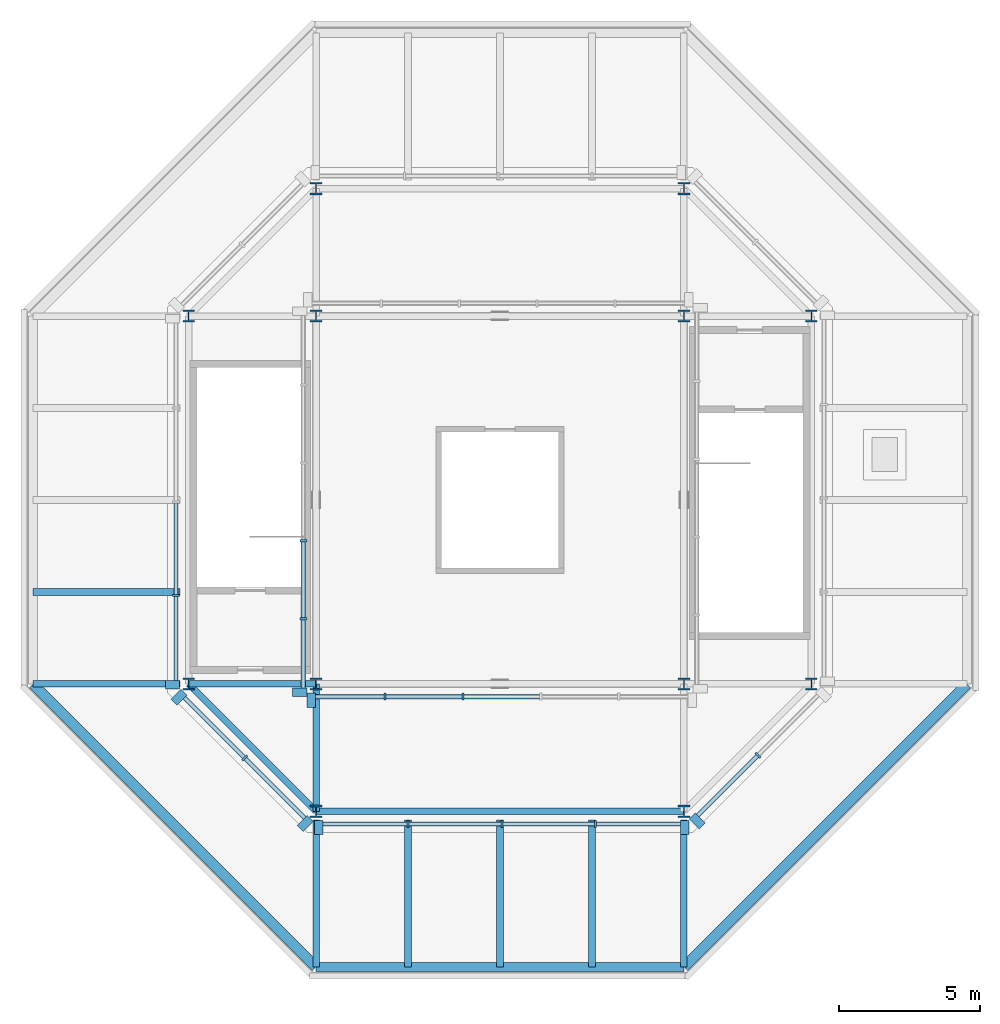
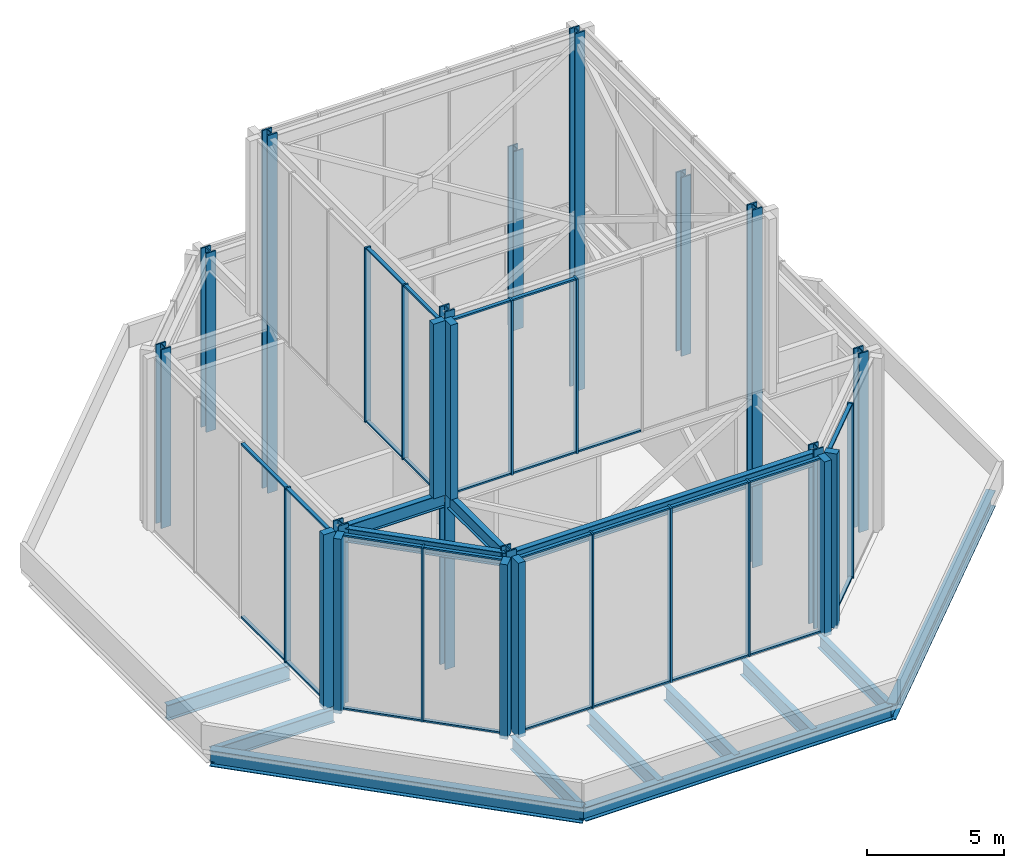
# One storey, part 1 of 6: 45 members, 14 beams, 12 columns, 6 elements without a shape of their own.
"""IFC4 building model written with IfcOpenShell, lengths in metres."""

from ifc_helpers import new_model, si_unit, direction, frame, origin, origin_2d, place, context, subcontext, project, spatial, rectangle, i_section, extrude, material, material_profile, profile_set, type_object, element, aggregate, save


model = new_model("IFC4")

# Units and contexts
model_context = context("Model", 3, precision=1e-05, world=origin(), true_north=direction((0.0, 1.0)))
body_context = subcontext(model_context, "Body", "Model", "MODEL_VIEW")
ifc_project = project(units=[si_unit("LENGTHUNIT", "METRE"), si_unit("AREAUNIT", "SQUARE_METRE"), si_unit("VOLUMEUNIT", "CUBIC_METRE"), si_unit("PLANEANGLEUNIT", "RADIAN"), si_unit("MASSUNIT", "GRAM", prefix="KILO")], contexts=[model_context])

# Site, building, storey
site_placement = place(None, origin())
site = spatial("IfcSite", under=ifc_project, at=site_placement, CompositionType="ELEMENT")
building_placement = place(site_placement, origin())
building = spatial("IfcBuilding", under=site, at=building_placement, Name="Trevanion Tower", CompositionType="ELEMENT")
storey_placement = place(building_placement, frame((0.0, 0.0, 310.199951171875)))
storey = spatial("IfcBuildingStorey", under=building, at=storey_placement, Name="ROOF", CompositionType="ELEMENT", Elevation=310.199951171875)

# Columns
ifc_material_1 = material(Name="Steel ASTM A913 Grade 65", Category="steel")
ifc_material_profile_1 = material_profile(ifc_material_1, i_section(OverallWidth=0.411376953125, OverallDepth=0.434326171875, WebThickness=0.035888671875, FlangeThickness=0.057373046875, at=origin_2d()), Name="W14X311")
ifc_profile_set_1 = profile_set([ifc_material_profile_1], Name="Steel ASTM A913 Grade 65")
column_type = type_object("IfcColumnType", Name="CC1 W14X311", PredefinedType="COLUMN", material=ifc_profile_set_1)
for number, where, z_axis, x_axis, name in (
    (1, (11.0, -6.5, 0.0), (0.0, 0.0, 1.0), (1.0, 0.0, 0.0), "CC1 crown T1 1"),
    (2, (11.0, 6.5, 0.0), (0.0, 0.0, 1.0), (1.0, 0.0, 0.0), "CC1 crown T1 2"),
    (3, (6.5, 11.0, 0.0), (0.0, 0.0, 1.0), (1.0, 0.0, 0.0), "CC1 crown T1 3"),
    (4, (-6.5, 11.0, 0.0), (0.0, 0.0, 1.0), (1.0, 0.0, 0.0), "CC1 crown T1 4"),
    (5, (-11.0, 6.5, 0.0), (0.0, 0.0, 1.0), (1.0, 0.0, 0.0), "CC1 crown T1 5"),
    (6, (-11.0, -6.5, 0.0), (0.0, 0.0, 1.0), (1.0, 0.0, 0.0), "CC1 crown T1 6"),
    (7, (-6.5, -11.0, 0.0), (0.0, 0.0, 1.0), (1.0, 0.0, 0.0), "CC1 crown T1 7"),
    (8, (6.5, -11.0, 0.0), (0.0, 0.0, 1.0), (1.0, 0.0, 0.0), "CC1 crown T1 8"),
):
    element("IfcColumn", number, at=place(storey_placement, frame(where, z_axis=z_axis, x_axis=x_axis)), inside=storey, type_object=column_type, Name=name, PredefinedType="COLUMN", context=body_context, shape_type="SweptSolid", body=[
        extrude(i_section(OverallWidth=0.411376953125, OverallDepth=0.434326171875, WebThickness=0.035888671875, FlangeThickness=0.057373046875, at=origin_2d()), origin(), (0.0, 0.0, 1.0), 8.0),
    ])
for number, where, z_axis, x_axis, name in (
    (9, (6.5, -6.5, 0.0), (0.0, 0.0, 1.0), (1.0, 0.0, 0.0), "CC1 crown T2 1"),
    (10, (6.5, 6.5, 0.0), (0.0, 0.0, 1.0), (1.0, 0.0, 0.0), "CC1 crown T2 2"),
    (11, (-6.5, 6.5, 0.0), (0.0, 0.0, 1.0), (1.0, 0.0, 0.0), "CC1 crown T2 3"),
    (12, (-6.5, -6.5, 0.0), (0.0, 0.0, 1.0), (1.0, 0.0, 0.0), "CC1 crown T2 4"),
):
    element("IfcColumn", number, at=place(storey_placement, frame(where, z_axis=z_axis, x_axis=x_axis)), inside=storey, type_object=column_type, Name=name, PredefinedType="COLUMN", context=body_context, shape_type="SweptSolid", body=[
        extrude(i_section(OverallWidth=0.411376953125, OverallDepth=0.434326171875, WebThickness=0.035888671875, FlangeThickness=0.057373046875, at=origin_2d()), origin(), (0.0, 0.0, 1.0), 16.0),
    ])

# Beams
ifc_material_2 = material(Name="Steel ASTM A992 Grade 50", Category="steel")
ifc_material_profile_2 = material_profile(ifc_material_2, i_section(OverallWidth=0.25390625, OverallDepth=0.683349609375, WebThickness=0.012451171875, FlangeThickness=0.01904296875, at=origin_2d()), Name="W27X94")
ifc_profile_set_2 = profile_set([ifc_material_profile_2], Name="Steel ASTM A992 Grade 50")
beam_type_1 = type_object("IfcBeamType", Name="B16 W27X94", PredefinedType="BEAM", material=ifc_profile_set_2)
for number, where, z_axis, x_axis, name in (
    (13, (-11.300048828125, -3.25, -0.531494140625), (-1.0, 0.0, 0.0), (0.0, -1.0, 0.0), "B16 ROOF"),
    (14, (-3.25, -11.300048828125, -0.531494140625), (0.0, -1.0, 0.0), (1.0, 0.0, 0.0), "B16 ROOF"),
    (15, (0.0, -11.300048828125, -0.531494140625), (0.0, -1.0, 0.0), (1.0, 0.0, 0.0), "B16 ROOF"),
    (16, (3.25, -11.300048828125, -0.531494140625), (0.0, -1.0, 0.0), (1.0, 0.0, 0.0), "B16 ROOF"),
):
    element("IfcBeam", number, at=place(storey_placement, frame(where, z_axis=z_axis, x_axis=x_axis)), inside=storey, type_object=beam_type_1, Name=name, PredefinedType="BEAM", context=body_context, shape_type="SweptSolid", body=[
        extrude(i_section(OverallWidth=0.25390625, OverallDepth=0.683349609375, WebThickness=0.012451171875, FlangeThickness=0.01904296875, at=origin_2d()), origin(), (0.0, 0.0, 1.0), 5.199951171875),
    ])
ifc_material_3 = material(Name="Steel ASTM A992 Grade 50", Category="steel")
ifc_material_profile_3 = material_profile(ifc_material_3, i_section(OverallWidth=0.23046875, OverallDepth=0.6171875, WebThickness=0.01318359375, FlangeThickness=0.022216796875, at=origin_2d()), Name="W24X94")
ifc_profile_set_3 = profile_set([ifc_material_profile_3], Name="Steel ASTM A992 Grade 50")
beam_type_2 = type_object("IfcBeamType", Name="CR1 W24X94", PredefinedType="BEAM", material=ifc_profile_set_3)
beam_1_placement = place(storey_placement, frame((-11.0, -6.5, 7.50146484375), z_axis=(0.707106781187, -0.707106781187, 0.0), x_axis=(0.707106781187, 0.707106781187, 0.0)))
element("IfcBeam", 17, at=beam_1_placement, inside=storey, type_object=beam_type_2, Name="CR1 crown T1 ring", PredefinedType="BEAM", context=body_context, shape_type="SweptSolid", body=[
    extrude(i_section(OverallWidth=0.23046875, OverallDepth=0.6171875, WebThickness=0.01318359375, FlangeThickness=0.022216796875, at=origin_2d()), origin(), (0.0, 0.0, 1.0), 6.364013671875),
])
beam_2_placement = place(storey_placement, frame((-6.5, -11.0, 7.50146484375), z_axis=(1.0, 0.0, 0.0), x_axis=(0.0, 1.0, 0.0)))
element("IfcBeam", 18, at=beam_2_placement, inside=storey, type_object=beam_type_2, Name="CR1 crown T1 ring", PredefinedType="BEAM", context=body_context, shape_type="SweptSolid", body=[
    extrude(i_section(OverallWidth=0.23046875, OverallDepth=0.6171875, WebThickness=0.01318359375, FlangeThickness=0.022216796875, at=origin_2d()), origin(), (0.0, 0.0, 1.0), 13.0),
])
ifc_material_4 = material(Name="Steel ASTM A992 Grade 50", Category="steel")
ifc_material_profile_4 = material_profile(ifc_material_4, i_section(OverallWidth=0.23046875, OverallDepth=0.6171875, WebThickness=0.01318359375, FlangeThickness=0.022216796875, at=origin_2d()), Name="W24X94")
ifc_profile_set_4 = profile_set([ifc_material_profile_4], Name="Steel ASTM A992 Grade 50")
beam_type_3 = type_object("IfcBeamType", Name="CR2 W24X94", PredefinedType="BEAM", material=ifc_profile_set_4)
for number, where, z_axis, x_axis, name in (
    (19, (-6.5, -6.5, 7.50146484375), (-1.0, 0.0, 0.0), (0.0, -1.0, 0.0), "CR2 crown tier 1 radial"),
    (20, (-6.5, -6.5, 7.50146484375), (0.0, -1.0, 0.0), (1.0, 0.0, 0.0), "CR2 crown tier 1 radial"),
):
    element("IfcBeam", number, at=place(storey_placement, frame(where, z_axis=z_axis, x_axis=x_axis)), inside=storey, type_object=beam_type_3, Name=name, PredefinedType="BEAM", context=body_context, shape_type="SweptSolid", body=[
        extrude(i_section(OverallWidth=0.23046875, OverallDepth=0.6171875, WebThickness=0.01318359375, FlangeThickness=0.022216796875, at=origin_2d()), origin(), (0.0, 0.0, 1.0), 4.5),
    ])

# Curtain wall, member
ifc_material_5 = material(Name="Aluminium louvres", Category="aluminium")
curtain_wall_type = type_object("IfcCurtainWallType", Name="CWC curtain wall", PredefinedType="USERDEFINED", material=ifc_material_5)
curtain_wall_1_placement = place(storey_placement, origin())
curtain_wall_1 = element("IfcCurtainWall", 21, at=curtain_wall_1_placement, inside=storey, type_object=curtain_wall_type, Name="CWC ROOF 3", ObjectType="LOUVRE SCREEN", PredefinedType="USERDEFINED")
ifc_material_6 = material(Name="Aluminium extrusion, anodised bronze", Category="aluminium")
ifc_material_profile_5 = material_profile(ifc_material_6, rectangle(XDim=0.074951171875, YDim=0.25, at=origin_2d()), Name="CWC mullion")
ifc_profile_set_5 = profile_set([ifc_material_profile_5], Name="Aluminium extrusion, anodised bronze")
member_type_1 = type_object("IfcMemberType", Name="CWC mullion", PredefinedType="MULLION", material=ifc_profile_set_5)
member_1_placement = place(storey_placement, frame((-11.449951171875, -3.375732421875, 0.0), z_axis=(0.0, 0.0, 1.0), x_axis=(0.0, -1.0, 0.0)))
member_1 = element("IfcMember", 22, at=member_1_placement, type_object=member_type_1, Name="CWC mullion 4", PredefinedType="MULLION", context=body_context, shape_type="SweptSolid", body=[
    extrude(rectangle(XDim=0.074951171875, YDim=0.25, at=origin_2d()), origin(), (0.0, 0.0, 1.0), 7.81005859375),
])

curtain_wall_2_placement = place(storey_placement, origin())
curtain_wall_2 = element("IfcCurtainWall", 23, at=curtain_wall_2_placement, inside=storey, type_object=curtain_wall_type, Name="CWC ROOF 4", ObjectType="LOUVRE SCREEN", PredefinedType="USERDEFINED")
member_2_placement = place(storey_placement, frame((-9.022216796875, -9.1142578125, 0.0), z_axis=(0.0, 0.0, 1.0), x_axis=(0.707106781187, -0.707106781187, 0.0)))
member_2 = element("IfcMember", 24, at=member_2_placement, type_object=member_type_1, Name="CWC mullion 2", PredefinedType="MULLION", context=body_context, shape_type="SweptSolid", body=[
    extrude(rectangle(XDim=0.074951171875, YDim=0.25, at=origin_2d()), origin(), (0.0, 0.0, 1.0), 7.81005859375),
])

# Curtain wall, members
curtain_wall_3_placement = place(storey_placement, origin())
curtain_wall_3 = element("IfcCurtainWall", 25, at=curtain_wall_3_placement, inside=storey, type_object=curtain_wall_type, Name="CWC ROOF 5", ObjectType="LOUVRE SCREEN", PredefinedType="USERDEFINED")
member_3_placement = place(storey_placement, frame((-3.24560546875, -11.449951171875, 0.0), z_axis=(0.0, 0.0, 1.0), x_axis=(1.0, 0.0, 0.0)))
member_3 = element("IfcMember", 26, at=member_3_placement, type_object=member_type_1, Name="CWC mullion 2", PredefinedType="MULLION", context=body_context, shape_type="SweptSolid", body=[
    extrude(rectangle(XDim=0.074951171875, YDim=0.25, at=origin_2d()), origin(), (0.0, 0.0, 1.0), 7.81005859375),
])
member_4_placement = place(storey_placement, frame((0.06494140625, -11.449951171875, 0.0), z_axis=(0.0, 0.0, 1.0), x_axis=(1.0, 0.0, 0.0)))
member_4 = element("IfcMember", 27, at=member_4_placement, type_object=member_type_1, Name="CWC mullion 3", PredefinedType="MULLION", context=body_context, shape_type="SweptSolid", body=[
    extrude(rectangle(XDim=0.074951171875, YDim=0.25, at=origin_2d()), origin(), (0.0, 0.0, 1.0), 7.81005859375),
])
member_5_placement = place(storey_placement, frame((3.375732421875, -11.449951171875, 0.0), z_axis=(0.0, 0.0, 1.0), x_axis=(1.0, 0.0, 0.0)))
member_5 = element("IfcMember", 28, at=member_5_placement, type_object=member_type_1, Name="CWC mullion 4", PredefinedType="MULLION", context=body_context, shape_type="SweptSolid", body=[
    extrude(rectangle(XDim=0.074951171875, YDim=0.25, at=origin_2d()), origin(), (0.0, 0.0, 1.0), 7.81005859375),
])

# Curtain wall, member
curtain_wall_4_placement = place(storey_placement, origin())
curtain_wall_4 = element("IfcCurtainWall", 29, at=curtain_wall_4_placement, inside=storey, type_object=curtain_wall_type, Name="CWC ROOF 6", ObjectType="LOUVRE SCREEN", PredefinedType="USERDEFINED")
member_6_placement = place(storey_placement, frame((9.1142578125, -9.022216796875, 0.0), z_axis=(0.0, 0.0, 1.0), x_axis=(0.707106781187, 0.707106781187, 0.0)))
member_6 = element("IfcMember", 30, at=member_6_placement, type_object=member_type_1, Name="CWC mullion 2", PredefinedType="MULLION", context=body_context, shape_type="SweptSolid", body=[
    extrude(rectangle(XDim=0.074951171875, YDim=0.25, at=origin_2d()), origin(), (0.0, 0.0, 1.0), 7.81005859375),
])

# Curtain wall, members
curtain_wall_5_placement = place(storey_placement, origin())
curtain_wall_5 = element("IfcCurtainWall", 31, at=curtain_wall_5_placement, inside=storey, type_object=curtain_wall_type, Name="CWC ROOF 1", ObjectType="LOUVRE SCREEN", PredefinedType="USERDEFINED")
member_7_placement = place(storey_placement, frame((-6.949951171875, -1.44189453125, 8.0), z_axis=(0.0, 0.0, 1.0), x_axis=(0.0, -1.0, 0.0)))
member_7 = element("IfcMember", 32, at=member_7_placement, type_object=member_type_1, Name="CWC mullion 4", PredefinedType="MULLION", context=body_context, shape_type="SweptSolid", body=[
    extrude(rectangle(XDim=0.074951171875, YDim=0.25, at=origin_2d()), origin(), (0.0, 0.0, 1.0), 7.81005859375),
])
member_8_placement = place(storey_placement, frame((-6.949951171875, -4.196044921875, 8.0), z_axis=(0.0, 0.0, 1.0), x_axis=(0.0, -1.0, 0.0)))
member_8 = element("IfcMember", 33, at=member_8_placement, type_object=member_type_1, Name="CWC mullion 5", PredefinedType="MULLION", context=body_context, shape_type="SweptSolid", body=[
    extrude(rectangle(XDim=0.074951171875, YDim=0.25, at=origin_2d()), origin(), (0.0, 0.0, 1.0), 7.81005859375),
])

curtain_wall_6_placement = place(storey_placement, origin())
curtain_wall_6 = element("IfcCurtainWall", 34, at=curtain_wall_6_placement, inside=storey, type_object=curtain_wall_type, Name="CWC ROOF 2", ObjectType="LOUVRE SCREEN", PredefinedType="USERDEFINED")
member_9_placement = place(storey_placement, frame((-4.06591796875, -6.949951171875, 8.0), z_axis=(0.0, 0.0, 1.0), x_axis=(1.0, 0.0, 0.0)))
member_9 = element("IfcMember", 35, at=member_9_placement, type_object=member_type_1, Name="CWC mullion 2", PredefinedType="MULLION", context=body_context, shape_type="SweptSolid", body=[
    extrude(rectangle(XDim=0.074951171875, YDim=0.25, at=origin_2d()), origin(), (0.0, 0.0, 1.0), 7.81005859375),
])
member_10_placement = place(storey_placement, frame((-1.31201171875, -6.949951171875, 8.0), z_axis=(0.0, 0.0, 1.0), x_axis=(1.0, 0.0, 0.0)))
member_10 = element("IfcMember", 36, at=member_10_placement, type_object=member_type_1, Name="CWC mullion 3", PredefinedType="MULLION", context=body_context, shape_type="SweptSolid", body=[
    extrude(rectangle(XDim=0.074951171875, YDim=0.25, at=origin_2d()), origin(), (0.0, 0.0, 1.0), 7.81005859375),
])

# Member
ifc_material_7 = material(Name="Aluminium extrusion, anodised bronze", Category="aluminium")
ifc_material_profile_6 = material_profile(ifc_material_7, rectangle(XDim=0.300048828125, YDim=0.5, at=origin_2d()), Name="CWC pier mullion")
ifc_profile_set_6 = profile_set([ifc_material_profile_6], Name="Aluminium extrusion, anodised bronze")
member_type_2 = type_object("IfcMemberType", Name="CWC pier mullion", PredefinedType="MULLION", material=ifc_profile_set_6)
member_11_placement = place(storey_placement, frame((-11.574951171875, -6.536376953125, 0.0), z_axis=(0.0, 0.0, 1.0), x_axis=(0.0, -1.0, 0.0)))
member_11 = element("IfcMember", 37, at=member_11_placement, type_object=member_type_2, Name="CWC pier mullion 5", PredefinedType="MULLION", context=body_context, shape_type="SweptSolid", body=[
    extrude(rectangle(XDim=0.300048828125, YDim=0.5, at=origin_2d()), origin(), (0.0, 0.0, 1.0), 7.81005859375),
])

member_12_placement = place(storey_placement, frame((-11.34033203125, -6.972900390625, 0.0), z_axis=(0.0, 0.0, 1.0), x_axis=(0.707106781187, -0.707106781187, 0.0)))
member_12 = element("IfcMember", 38, at=member_12_placement, type_object=member_type_2, Name="CWC pier mullion 1", PredefinedType="MULLION", context=body_context, shape_type="SweptSolid", body=[
    extrude(rectangle(XDim=0.300048828125, YDim=0.5, at=origin_2d()), origin(), (0.0, 0.0, 1.0), 7.81005859375),
])

member_13_placement = place(storey_placement, frame((-6.880859375, -11.432373046875, 0.0), z_axis=(0.0, 0.0, 1.0), x_axis=(0.707106781187, -0.707106781187, 0.0)))
member_13 = element("IfcMember", 39, at=member_13_placement, type_object=member_type_2, Name="CWC pier mullion 3", PredefinedType="MULLION", context=body_context, shape_type="SweptSolid", body=[
    extrude(rectangle(XDim=0.300048828125, YDim=0.5, at=origin_2d()), origin(), (0.0, 0.0, 1.0), 7.81005859375),
])

member_14_placement = place(storey_placement, frame((-6.406494140625, -11.574951171875, 0.0), z_axis=(0.0, 0.0, 1.0), x_axis=(1.0, 0.0, 0.0)))
member_14 = element("IfcMember", 40, at=member_14_placement, type_object=member_type_2, Name="CWC pier mullion 1", PredefinedType="MULLION", context=body_context, shape_type="SweptSolid", body=[
    extrude(rectangle(XDim=0.300048828125, YDim=0.5, at=origin_2d()), origin(), (0.0, 0.0, 1.0), 7.81005859375),
])

member_15_placement = place(storey_placement, frame((6.536376953125, -11.574951171875, 0.0), z_axis=(0.0, 0.0, 1.0), x_axis=(1.0, 0.0, 0.0)))
member_15 = element("IfcMember", 41, at=member_15_placement, type_object=member_type_2, Name="CWC pier mullion 5", PredefinedType="MULLION", context=body_context, shape_type="SweptSolid", body=[
    extrude(rectangle(XDim=0.300048828125, YDim=0.5, at=origin_2d()), origin(), (0.0, 0.0, 1.0), 7.81005859375),
])

member_16_placement = place(storey_placement, frame((6.972900390625, -11.34033203125, 0.0), z_axis=(0.0, 0.0, 1.0), x_axis=(0.707106781187, 0.707106781187, 0.0)))
member_16 = element("IfcMember", 42, at=member_16_placement, type_object=member_type_2, Name="CWC pier mullion 1", PredefinedType="MULLION", context=body_context, shape_type="SweptSolid", body=[
    extrude(rectangle(XDim=0.300048828125, YDim=0.5, at=origin_2d()), origin(), (0.0, 0.0, 1.0), 7.81005859375),
])

member_17_placement = place(storey_placement, frame((-7.074951171875, -6.800048828125, 8.0), z_axis=(0.0, 0.0, 1.0), x_axis=(0.0, -1.0, 0.0)))
member_17 = element("IfcMember", 43, at=member_17_placement, type_object=member_type_2, Name="CWC pier mullion 6", PredefinedType="MULLION", context=body_context, shape_type="SweptSolid", body=[
    extrude(rectangle(XDim=0.300048828125, YDim=0.5, at=origin_2d()), origin(), (0.0, 0.0, 1.0), 7.81005859375),
])

member_18_placement = place(storey_placement, frame((-6.669921875, -7.074951171875, 8.0), z_axis=(0.0, 0.0, 1.0), x_axis=(1.0, 0.0, 0.0)))
member_18 = element("IfcMember", 44, at=member_18_placement, type_object=member_type_2, Name="CWC pier mullion 1", PredefinedType="MULLION", context=body_context, shape_type="SweptSolid", body=[
    extrude(rectangle(XDim=0.300048828125, YDim=0.5, at=origin_2d()), origin(), (0.0, 0.0, 1.0), 7.81005859375),
])

ifc_material_8 = material(Name="Aluminium extrusion, anodised bronze", Category="aluminium")
ifc_material_profile_7 = material_profile(ifc_material_8, rectangle(XDim=0.14990234375, YDim=0.074951171875, at=origin_2d()), Name="CWC transom")
ifc_profile_set_7 = profile_set([ifc_material_profile_7], Name="Aluminium extrusion, anodised bronze")
member_type_3 = type_object("IfcMemberType", Name="CWC transom", PredefinedType="USERDEFINED", material=ifc_profile_set_7)
member_19_placement = place(storey_placement, frame((-11.449951171875, -0.1025390625, 0.03759765625), z_axis=(0.0, -1.0, 0.0), x_axis=(1.0, 0.0, 0.0)))
member_19 = element("IfcMember", 45, at=member_19_placement, type_object=member_type_3, Name="CWC transom 3.1", ObjectType="TRANSOM", PredefinedType="USERDEFINED", context=body_context, shape_type="SweptSolid", body=[
    extrude(rectangle(XDim=0.14990234375, YDim=0.074951171875, at=origin_2d()), origin(), (0.0, 0.0, 1.0), 3.235595703125),
])

member_20_placement = place(storey_placement, frame((-11.449951171875, -0.1025390625, 7.7724609375), z_axis=(0.0, -1.0, 0.0), x_axis=(1.0, 0.0, 0.0)))
member_20 = element("IfcMember", 46, at=member_20_placement, type_object=member_type_3, Name="CWC transom 3.2", ObjectType="TRANSOM", PredefinedType="USERDEFINED", context=body_context, shape_type="SweptSolid", body=[
    extrude(rectangle(XDim=0.14990234375, YDim=0.074951171875, at=origin_2d()), origin(), (0.0, 0.0, 1.0), 3.235595703125),
])

member_21_placement = place(storey_placement, frame((-11.449951171875, -3.4130859375, 0.03759765625), z_axis=(0.0, -1.0, 0.0), x_axis=(1.0, 0.0, 0.0)))
member_21 = element("IfcMember", 47, at=member_21_placement, type_object=member_type_3, Name="CWC transom 4.1", ObjectType="TRANSOM", PredefinedType="USERDEFINED", context=body_context, shape_type="SweptSolid", body=[
    extrude(rectangle(XDim=0.14990234375, YDim=0.074951171875, at=origin_2d()), origin(), (0.0, 0.0, 1.0), 2.973388671875),
])

member_22_placement = place(storey_placement, frame((-11.449951171875, -3.4130859375, 7.7724609375), z_axis=(0.0, -1.0, 0.0), x_axis=(1.0, 0.0, 0.0)))
member_22 = element("IfcMember", 48, at=member_22_placement, type_object=member_type_3, Name="CWC transom 4.2", ObjectType="TRANSOM", PredefinedType="USERDEFINED", context=body_context, shape_type="SweptSolid", body=[
    extrude(rectangle(XDim=0.14990234375, YDim=0.074951171875, at=origin_2d()), origin(), (0.0, 0.0, 1.0), 2.973388671875),
])

aggregate(curtain_wall_1, [member_1, member_11, member_19, member_20, member_21, member_22])

member_23_placement = place(storey_placement, frame((-11.14599609375, -6.990478515625, 0.03759765625), z_axis=(0.707106781187, -0.707106781187, 0.0), x_axis=(0.707106781187, 0.707106781187, 0.0)))
member_23 = element("IfcMember", 49, at=member_23_placement, type_object=member_type_3, Name="CWC transom 1.1", ObjectType="TRANSOM", PredefinedType="USERDEFINED", context=body_context, shape_type="SweptSolid", body=[
    extrude(rectangle(XDim=0.14990234375, YDim=0.074951171875, at=origin_2d()), origin(), (0.0, 0.0, 1.0), 2.9658203125),
])

member_24_placement = place(storey_placement, frame((-11.14599609375, -6.990478515625, 7.7724609375), z_axis=(0.707106781187, -0.707106781187, 0.0), x_axis=(0.707106781187, 0.707106781187, 0.0)))
member_24 = element("IfcMember", 50, at=member_24_placement, type_object=member_type_3, Name="CWC transom 1.2", ObjectType="TRANSOM", PredefinedType="USERDEFINED", context=body_context, shape_type="SweptSolid", body=[
    extrude(rectangle(XDim=0.14990234375, YDim=0.074951171875, at=origin_2d()), origin(), (0.0, 0.0, 1.0), 2.9658203125),
])

member_25_placement = place(storey_placement, frame((-8.99560546875, -9.140625, 0.03759765625), z_axis=(0.707106781187, -0.707106781187, 0.0), x_axis=(0.707106781187, 0.707106781187, 0.0)))
member_25 = element("IfcMember", 51, at=member_25_placement, type_object=member_type_3, Name="CWC transom 2.1", ObjectType="TRANSOM", PredefinedType="USERDEFINED", context=body_context, shape_type="SweptSolid", body=[
    extrude(rectangle(XDim=0.14990234375, YDim=0.074951171875, at=origin_2d()), origin(), (0.0, 0.0, 1.0), 2.9658203125),
])

member_26_placement = place(storey_placement, frame((-8.99560546875, -9.140625, 7.7724609375), z_axis=(0.707106781187, -0.707106781187, 0.0), x_axis=(0.707106781187, 0.707106781187, 0.0)))
member_26 = element("IfcMember", 52, at=member_26_placement, type_object=member_type_3, Name="CWC transom 2.2", ObjectType="TRANSOM", PredefinedType="USERDEFINED", context=body_context, shape_type="SweptSolid", body=[
    extrude(rectangle(XDim=0.14990234375, YDim=0.074951171875, at=origin_2d()), origin(), (0.0, 0.0, 1.0), 2.9658203125),
])

aggregate(curtain_wall_2, [member_12, member_2, member_13, member_23, member_24, member_25, member_26])

member_27_placement = place(storey_placement, frame((-6.25634765625, -11.449951171875, 0.03759765625), z_axis=(1.0, 0.0, 0.0), x_axis=(0.0, 1.0, 0.0)))
member_27 = element("IfcMember", 53, at=member_27_placement, type_object=member_type_3, Name="CWC transom 1.1", ObjectType="TRANSOM", PredefinedType="USERDEFINED", context=body_context, shape_type="SweptSolid", body=[
    extrude(rectangle(XDim=0.14990234375, YDim=0.074951171875, at=origin_2d()), origin(), (0.0, 0.0, 1.0), 2.97314453125),
])

member_28_placement = place(storey_placement, frame((-6.25634765625, -11.449951171875, 7.7724609375), z_axis=(1.0, 0.0, 0.0), x_axis=(0.0, 1.0, 0.0)))
member_28 = element("IfcMember", 54, at=member_28_placement, type_object=member_type_3, Name="CWC transom 1.2", ObjectType="TRANSOM", PredefinedType="USERDEFINED", context=body_context, shape_type="SweptSolid", body=[
    extrude(rectangle(XDim=0.14990234375, YDim=0.074951171875, at=origin_2d()), origin(), (0.0, 0.0, 1.0), 2.97314453125),
])

member_29_placement = place(storey_placement, frame((-3.208251953125, -11.449951171875, 0.03759765625), z_axis=(1.0, 0.0, 0.0), x_axis=(0.0, 1.0, 0.0)))
member_29 = element("IfcMember", 55, at=member_29_placement, type_object=member_type_3, Name="CWC transom 2.1", ObjectType="TRANSOM", PredefinedType="USERDEFINED", context=body_context, shape_type="SweptSolid", body=[
    extrude(rectangle(XDim=0.14990234375, YDim=0.074951171875, at=origin_2d()), origin(), (0.0, 0.0, 1.0), 3.23583984375),
])

member_30_placement = place(storey_placement, frame((-3.208251953125, -11.449951171875, 7.7724609375), z_axis=(1.0, 0.0, 0.0), x_axis=(0.0, 1.0, 0.0)))
member_30 = element("IfcMember", 56, at=member_30_placement, type_object=member_type_3, Name="CWC transom 2.2", ObjectType="TRANSOM", PredefinedType="USERDEFINED", context=body_context, shape_type="SweptSolid", body=[
    extrude(rectangle(XDim=0.14990234375, YDim=0.074951171875, at=origin_2d()), origin(), (0.0, 0.0, 1.0), 3.23583984375),
])

member_31_placement = place(storey_placement, frame((0.1025390625, -11.449951171875, 0.03759765625), z_axis=(1.0, 0.0, 0.0), x_axis=(0.0, 1.0, 0.0)))
member_31 = element("IfcMember", 57, at=member_31_placement, type_object=member_type_3, Name="CWC transom 3.1", ObjectType="TRANSOM", PredefinedType="USERDEFINED", context=body_context, shape_type="SweptSolid", body=[
    extrude(rectangle(XDim=0.14990234375, YDim=0.074951171875, at=origin_2d()), origin(), (0.0, 0.0, 1.0), 3.235595703125),
])

member_32_placement = place(storey_placement, frame((0.1025390625, -11.449951171875, 7.7724609375), z_axis=(1.0, 0.0, 0.0), x_axis=(0.0, 1.0, 0.0)))
member_32 = element("IfcMember", 58, at=member_32_placement, type_object=member_type_3, Name="CWC transom 3.2", ObjectType="TRANSOM", PredefinedType="USERDEFINED", context=body_context, shape_type="SweptSolid", body=[
    extrude(rectangle(XDim=0.14990234375, YDim=0.074951171875, at=origin_2d()), origin(), (0.0, 0.0, 1.0), 3.235595703125),
])

member_33_placement = place(storey_placement, frame((3.4130859375, -11.449951171875, 0.03759765625), z_axis=(1.0, 0.0, 0.0), x_axis=(0.0, 1.0, 0.0)))
member_33 = element("IfcMember", 59, at=member_33_placement, type_object=member_type_3, Name="CWC transom 4.1", ObjectType="TRANSOM", PredefinedType="USERDEFINED", context=body_context, shape_type="SweptSolid", body=[
    extrude(rectangle(XDim=0.14990234375, YDim=0.074951171875, at=origin_2d()), origin(), (0.0, 0.0, 1.0), 2.973388671875),
])

member_34_placement = place(storey_placement, frame((3.4130859375, -11.449951171875, 7.7724609375), z_axis=(1.0, 0.0, 0.0), x_axis=(0.0, 1.0, 0.0)))
member_34 = element("IfcMember", 60, at=member_34_placement, type_object=member_type_3, Name="CWC transom 4.2", ObjectType="TRANSOM", PredefinedType="USERDEFINED", context=body_context, shape_type="SweptSolid", body=[
    extrude(rectangle(XDim=0.14990234375, YDim=0.074951171875, at=origin_2d()), origin(), (0.0, 0.0, 1.0), 2.973388671875),
])

aggregate(curtain_wall_3, [member_14, member_3, member_4, member_5, member_15, member_27, member_28, member_29, member_30, member_31, member_32, member_33, member_34])

member_35_placement = place(storey_placement, frame((6.990478515625, -11.14599609375, 0.03759765625), z_axis=(0.707106781187, 0.707106781187, 0.0), x_axis=(-0.707106781187, 0.707106781187, 0.0)))
member_35 = element("IfcMember", 61, at=member_35_placement, type_object=member_type_3, Name="CWC transom 1.1", ObjectType="TRANSOM", PredefinedType="USERDEFINED", context=body_context, shape_type="SweptSolid", body=[
    extrude(rectangle(XDim=0.14990234375, YDim=0.074951171875, at=origin_2d()), origin(), (0.0, 0.0, 1.0), 2.9658203125),
])

member_36_placement = place(storey_placement, frame((6.990478515625, -11.14599609375, 7.7724609375), z_axis=(0.707106781187, 0.707106781187, 0.0), x_axis=(-0.707106781187, 0.707106781187, 0.0)))
member_36 = element("IfcMember", 62, at=member_36_placement, type_object=member_type_3, Name="CWC transom 1.2", ObjectType="TRANSOM", PredefinedType="USERDEFINED", context=body_context, shape_type="SweptSolid", body=[
    extrude(rectangle(XDim=0.14990234375, YDim=0.074951171875, at=origin_2d()), origin(), (0.0, 0.0, 1.0), 2.9658203125),
])

aggregate(curtain_wall_4, [member_16, member_6, member_35, member_36])

member_37_placement = place(storey_placement, frame((-6.949951171875, -1.4794921875, 8.03759765625), z_axis=(0.0, -1.0, 0.0), x_axis=(1.0, 0.0, 0.0)))
member_37 = element("IfcMember", 63, at=member_37_placement, type_object=member_type_3, Name="CWC transom 4.1", ObjectType="TRANSOM", PredefinedType="USERDEFINED", context=body_context, shape_type="SweptSolid", body=[
    extrude(rectangle(XDim=0.14990234375, YDim=0.074951171875, at=origin_2d()), origin(), (0.0, 0.0, 1.0), 2.678955078125),
])

member_38_placement = place(storey_placement, frame((-6.949951171875, -1.4794921875, 15.7724609375), z_axis=(0.0, -1.0, 0.0), x_axis=(1.0, 0.0, 0.0)))
member_38 = element("IfcMember", 64, at=member_38_placement, type_object=member_type_3, Name="CWC transom 4.2", ObjectType="TRANSOM", PredefinedType="USERDEFINED", context=body_context, shape_type="SweptSolid", body=[
    extrude(rectangle(XDim=0.14990234375, YDim=0.074951171875, at=origin_2d()), origin(), (0.0, 0.0, 1.0), 2.678955078125),
])

member_39_placement = place(storey_placement, frame((-6.949951171875, -4.2333984375, 8.03759765625), z_axis=(0.0, -1.0, 0.0), x_axis=(1.0, 0.0, 0.0)))
member_39 = element("IfcMember", 65, at=member_39_placement, type_object=member_type_3, Name="CWC transom 5.1", ObjectType="TRANSOM", PredefinedType="USERDEFINED", context=body_context, shape_type="SweptSolid", body=[
    extrude(rectangle(XDim=0.14990234375, YDim=0.074951171875, at=origin_2d()), origin(), (0.0, 0.0, 1.0), 2.41650390625),
])

member_40_placement = place(storey_placement, frame((-6.949951171875, -4.2333984375, 15.7724609375), z_axis=(0.0, -1.0, 0.0), x_axis=(1.0, 0.0, 0.0)))
member_40 = element("IfcMember", 66, at=member_40_placement, type_object=member_type_3, Name="CWC transom 5.2", ObjectType="TRANSOM", PredefinedType="USERDEFINED", context=body_context, shape_type="SweptSolid", body=[
    extrude(rectangle(XDim=0.14990234375, YDim=0.074951171875, at=origin_2d()), origin(), (0.0, 0.0, 1.0), 2.41650390625),
])

aggregate(curtain_wall_5, [member_7, member_8, member_17, member_37, member_38, member_39, member_40])

member_41_placement = place(storey_placement, frame((-6.52001953125, -6.949951171875, 8.03759765625), z_axis=(1.0, 0.0, 0.0), x_axis=(0.0, 1.0, 0.0)))
member_41 = element("IfcMember", 67, at=member_41_placement, type_object=member_type_3, Name="CWC transom 1.1", ObjectType="TRANSOM", PredefinedType="USERDEFINED", context=body_context, shape_type="SweptSolid", body=[
    extrude(rectangle(XDim=0.14990234375, YDim=0.074951171875, at=origin_2d()), origin(), (0.0, 0.0, 1.0), 2.41650390625),
])

member_42_placement = place(storey_placement, frame((-6.52001953125, -6.949951171875, 15.7724609375), z_axis=(1.0, 0.0, 0.0), x_axis=(0.0, 1.0, 0.0)))
member_42 = element("IfcMember", 68, at=member_42_placement, type_object=member_type_3, Name="CWC transom 1.2", ObjectType="TRANSOM", PredefinedType="USERDEFINED", context=body_context, shape_type="SweptSolid", body=[
    extrude(rectangle(XDim=0.14990234375, YDim=0.074951171875, at=origin_2d()), origin(), (0.0, 0.0, 1.0), 2.41650390625),
])

member_43_placement = place(storey_placement, frame((-4.028564453125, -6.949951171875, 8.03759765625), z_axis=(1.0, 0.0, 0.0), x_axis=(0.0, 1.0, 0.0)))
member_43 = element("IfcMember", 69, at=member_43_placement, type_object=member_type_3, Name="CWC transom 2.1", ObjectType="TRANSOM", PredefinedType="USERDEFINED", context=body_context, shape_type="SweptSolid", body=[
    extrude(rectangle(XDim=0.14990234375, YDim=0.074951171875, at=origin_2d()), origin(), (0.0, 0.0, 1.0), 2.678955078125),
])

member_44_placement = place(storey_placement, frame((-4.028564453125, -6.949951171875, 15.7724609375), z_axis=(1.0, 0.0, 0.0), x_axis=(0.0, 1.0, 0.0)))
member_44 = element("IfcMember", 70, at=member_44_placement, type_object=member_type_3, Name="CWC transom 2.2", ObjectType="TRANSOM", PredefinedType="USERDEFINED", context=body_context, shape_type="SweptSolid", body=[
    extrude(rectangle(XDim=0.14990234375, YDim=0.074951171875, at=origin_2d()), origin(), (0.0, 0.0, 1.0), 2.678955078125),
])

member_45_placement = place(storey_placement, frame((-1.2744140625, -6.949951171875, 8.03759765625), z_axis=(1.0, 0.0, 0.0), x_axis=(0.0, 1.0, 0.0)))
member_45 = element("IfcMember", 71, at=member_45_placement, type_object=member_type_3, Name="CWC transom 3.1", ObjectType="TRANSOM", PredefinedType="USERDEFINED", context=body_context, shape_type="SweptSolid", body=[
    extrude(rectangle(XDim=0.14990234375, YDim=0.074951171875, at=origin_2d()), origin(), (0.0, 0.0, 1.0), 2.678955078125),
])

aggregate(curtain_wall_6, [member_18, member_9, member_10, member_41, member_42, member_43, member_44, member_45])

# Beams
ifc_material_9 = material(Name="Steel ASTM A992 Grade 50", Category="steel")
ifc_material_profile_8 = material_profile(ifc_material_9, i_section(OverallWidth=0.22900390625, OverallDepth=0.612060546875, WebThickness=0.011962890625, FlangeThickness=0.01953125, at=origin_2d()), Name="W24X84")
ifc_profile_set_8 = profile_set([ifc_material_profile_8], Name="Steel ASTM A992 Grade 50")
beam_type_4 = type_object("IfcBeamType", Name="G9 W24X84", PredefinedType="BEAM", material=ifc_profile_set_8)
for number, where, z_axis, x_axis, name in (
    (72, (-11.300048828125, -6.5, -0.49609375), (-1.0, 0.0, 0.0), (0.0, -1.0, 0.0), "G9 ROOF"),
    (73, (-6.5, -11.300048828125, -0.49609375), (0.0, -1.0, 0.0), (1.0, 0.0, 0.0), "G9 ROOF"),
    (74, (6.5, -11.300048828125, -0.49609375), (0.0, -1.0, 0.0), (1.0, 0.0, 0.0), "G9 ROOF"),
):
    element("IfcBeam", number, at=place(storey_placement, frame(where, z_axis=z_axis, x_axis=x_axis)), inside=storey, type_object=beam_type_4, Name=name, PredefinedType="BEAM", context=body_context, shape_type="SweptSolid", body=[
        extrude(i_section(OverallWidth=0.22900390625, OverallDepth=0.612060546875, WebThickness=0.011962890625, FlangeThickness=0.01953125, at=origin_2d()), origin(), (0.0, 0.0, 1.0), 5.199951171875),
    ])
ifc_material_10 = material(Name="Steel ASTM A992 Grade 50", Category="steel")
ifc_material_profile_9 = material_profile(ifc_material_10, i_section(OverallWidth=0.330078125, OverallDepth=0.635009765625, WebThickness=0.017822265625, FlangeThickness=0.031005859375, at=origin_2d()), Name="W24X162")
ifc_profile_set_9 = profile_set([ifc_material_profile_9], Name="Steel ASTM A992 Grade 50")
beam_type_5 = type_object("IfcBeamType", Name="SB14 W24X162", PredefinedType="SPANDREL", material=ifc_profile_set_9)
beam_3_placement = place(storey_placement, frame((-6.5, -16.5, -0.507568359375), z_axis=(1.0, 0.0, 0.0), x_axis=(0.0, 1.0, 0.0)))
element("IfcBeam", 75, at=beam_3_placement, inside=storey, type_object=beam_type_5, Name="SB14 ROOF", PredefinedType="SPANDREL", context=body_context, shape_type="SweptSolid", body=[
    extrude(i_section(OverallWidth=0.330078125, OverallDepth=0.635009765625, WebThickness=0.017822265625, FlangeThickness=0.031005859375, at=origin_2d()), origin(), (0.0, 0.0, 1.0), 13.0),
])
ifc_material_11 = material(Name="Steel ASTM A992 Grade 50", Category="steel")
ifc_material_profile_10 = material_profile(ifc_material_11, i_section(OverallWidth=0.358154296875, OverallDepth=0.7060546875, WebThickness=0.018310546875, FlangeThickness=0.0302734375, at=origin_2d()), Name="W27X178")
ifc_profile_set_10 = profile_set([ifc_material_profile_10], Name="Steel ASTM A992 Grade 50")
beam_type_6 = type_object("IfcBeamType", Name="SB15 W27X178", PredefinedType="SPANDREL", material=ifc_profile_set_10)
for number, where, z_axis, x_axis, name in (
    (76, (-16.5, -6.5, -0.54296875), (0.707106781187, -0.707106781187, 0.0), (0.707106781187, 0.707106781187, 0.0), "SB15 ROOF"),
    (77, (6.5, -16.5, -0.54296875), (0.707106781187, 0.707106781187, 0.0), (-0.707106781187, 0.707106781187, 0.0), "SB15 ROOF"),
):
    element("IfcBeam", number, at=place(storey_placement, frame(where, z_axis=z_axis, x_axis=x_axis)), inside=storey, type_object=beam_type_6, Name=name, PredefinedType="SPANDREL", context=body_context, shape_type="SweptSolid", body=[
        extrude(i_section(OverallWidth=0.358154296875, OverallDepth=0.7060546875, WebThickness=0.018310546875, FlangeThickness=0.0302734375, at=origin_2d()), origin(), (0.0, 0.0, 1.0), 14.14208984375),
    ])

save(model, "model.ifc")
